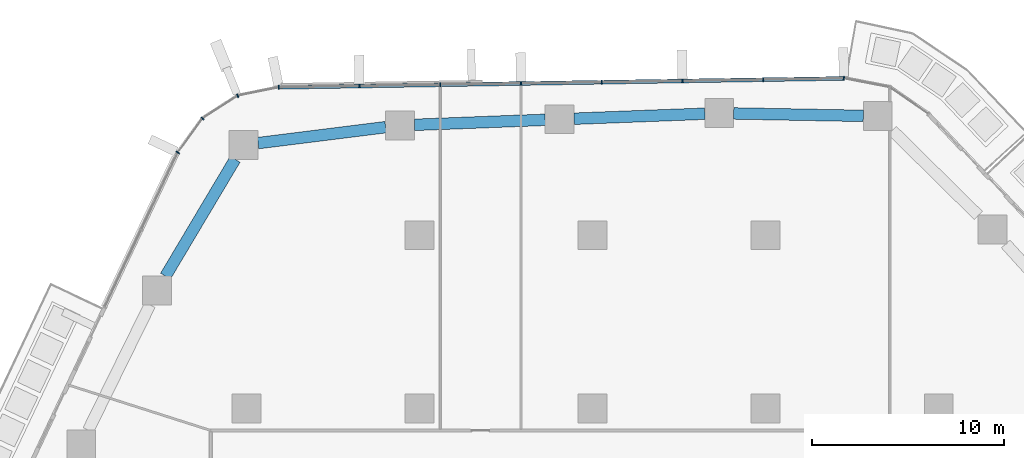
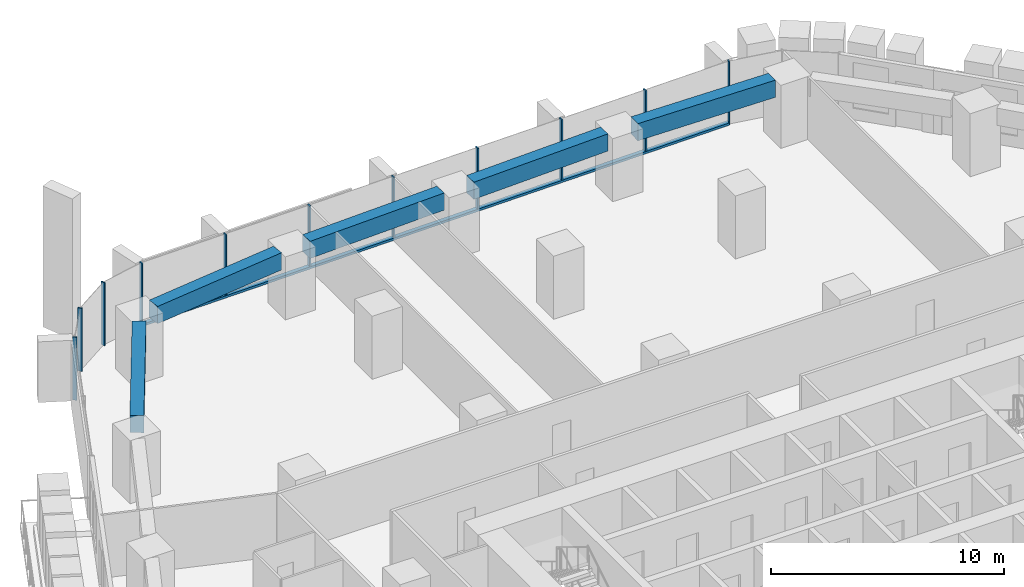
# One storey, part 9 of 25: 12 members, 5 beams, 3 elements without a shape of their own.
"""IFC4 building model written with IfcOpenShell, lengths in metres."""

from ifc_helpers import new_model, si_unit, direction, frame, origin, origin_2d, place, context, subcontext, project, spatial, rectangle, extrude, material, layer, layer_set, material_profile, profile_set, type_object, element, aggregate, save


model = new_model("IFC4")

# Units and contexts
model_context = context("Model", 3, precision=1e-05, world=origin(), true_north=direction((0.0, 1.0)))
body_context = subcontext(model_context, "Body", "Model", "MODEL_VIEW")
ifc_project = project(units=[si_unit("LENGTHUNIT", "METRE"), si_unit("AREAUNIT", "SQUARE_METRE"), si_unit("VOLUMEUNIT", "CUBIC_METRE"), si_unit("PLANEANGLEUNIT", "RADIAN"), si_unit("MASSUNIT", "GRAM", prefix="KILO")], contexts=[model_context])

# Site, building, storey
site_placement = place(None, origin())
site = spatial("IfcSite", under=ifc_project, at=site_placement, CompositionType="ELEMENT")
building_placement = place(site_placement, origin())
building = spatial("IfcBuilding", under=site, at=building_placement, Name="Dongbaek Canopy Tower", CompositionType="ELEMENT")
storey_placement = place(building_placement, frame((0.0, 0.0, 77.300048828125)))
storey = spatial("IfcBuildingStorey", under=building, at=storey_placement, Name="L15", CompositionType="ELEMENT", Elevation=77.300048828125)

# Curtain wall, member
ifc_material_1 = material(Name="Aluminium 6063-T6 pale anodised", Category="aluminium")
ifc_layer = layer(ifc_material_1, 0.199951171875)
ifc_layer_set = layer_set([ifc_layer], Name="CW-1 unitised tower curtain wall")
curtain_wall_type = type_object("IfcCurtainWallType", Name="CW-1 unitised tower curtain wall", PredefinedType="NOTDEFINED", material=ifc_layer_set)
curtain_wall_1_placement = place(storey_placement, origin())
curtain_wall_1 = element("IfcCurtainWall", 1, at=curtain_wall_1_placement, inside=storey, type_object=curtain_wall_type, Name="CW-1 curtain wall K1.1", PredefinedType="NOTDEFINED")
ifc_material_2 = material(Name="Aluminium 6063-T6 pale anodised", Category="aluminium")
ifc_material_profile_1 = material_profile(ifc_material_2, rectangle(XDim=0.199951171875, YDim=0.06005859375, at=origin_2d()), Name="CW-1 mullion 60 x 200")
ifc_profile_set_1 = profile_set([ifc_material_profile_1], Name="Aluminium 6063-T6 pale anodised")
member_type_1 = type_object("IfcMemberType", Name="CW-1 mullion 60 x 200", PredefinedType="MULLION", material=ifc_profile_set_1)
member_1_placement = place(storey_placement, frame((13.067138671875, 35.157470703125, 0.0), z_axis=(0.0, 0.0, 1.0), x_axis=(0.190359076609, 0.981714531803, 0.0)))
member_1 = element("IfcMember", 2, at=member_1_placement, type_object=member_type_1, Name="CW-1 mullion K1.1.3", PredefinedType="MULLION", context=body_context, shape_type="SweptSolid", body=[
    extrude(rectangle(XDim=0.199951171875, YDim=0.06005859375, at=origin_2d()), origin(), (0.0, 0.0, 1.0), 3.300048828125),
])
aggregate(curtain_wall_1, [member_1])

# Curtain wall, members
curtain_wall_2_placement = place(storey_placement, origin())
curtain_wall_2 = element("IfcCurtainWall", 3, at=curtain_wall_2_placement, inside=storey, type_object=curtain_wall_type, Name="CW-1 curtain wall F1.1", PredefinedType="NOTDEFINED")
member_2_placement = place(storey_placement, frame((8.878173828125, 35.091552734375, 0.119873046875), z_axis=(0.0, 0.0, 1.0), x_axis=(-0.015774398409, 0.999875576437, 0.0)))
member_2 = element("IfcMember", 4, at=member_2_placement, type_object=member_type_1, Name="CW-1 mullion F1.1.2", PredefinedType="MULLION", context=body_context, shape_type="SweptSolid", body=[
    extrude(rectangle(XDim=0.199951171875, YDim=0.06005859375, at=origin_2d()), origin(), (0.0, 0.0, 1.0), 3.18017578125),
])
member_3_placement = place(storey_placement, frame((4.6787109375, 35.025146484375, 0.119873046875), z_axis=(0.0, 0.0, 1.0), x_axis=(-0.015774398409, 0.999875576437, 0.0)))
member_3 = element("IfcMember", 5, at=member_3_placement, type_object=member_type_1, Name="CW-1 mullion F1.1.3", PredefinedType="MULLION", context=body_context, shape_type="SweptSolid", body=[
    extrude(rectangle(XDim=0.199951171875, YDim=0.06005859375, at=origin_2d()), origin(), (0.0, 0.0, 1.0), 3.18017578125),
])
member_4_placement = place(storey_placement, frame((0.4794921875, 34.958984375, 0.119873046875), z_axis=(0.0, 0.0, 1.0), x_axis=(-0.015774398409, 0.999875576437, 0.0)))
member_4 = element("IfcMember", 6, at=member_4_placement, type_object=member_type_1, Name="CW-1 mullion F1.1.4", PredefinedType="MULLION", context=body_context, shape_type="SweptSolid", body=[
    extrude(rectangle(XDim=0.199951171875, YDim=0.06005859375, at=origin_2d()), origin(), (0.0, 0.0, 1.0), 3.18017578125),
])
member_5_placement = place(storey_placement, frame((-3.719970703125, 34.892822265625, 0.119873046875), z_axis=(0.0, 0.0, 1.0), x_axis=(-0.015774398409, 0.999875576437, 0.0)))
member_5 = element("IfcMember", 7, at=member_5_placement, type_object=member_type_1, Name="CW-1 mullion F1.1.5", PredefinedType="MULLION", context=body_context, shape_type="SweptSolid", body=[
    extrude(rectangle(XDim=0.199951171875, YDim=0.06005859375, at=origin_2d()), origin(), (0.0, 0.0, 1.0), 3.18017578125),
])
member_6_placement = place(storey_placement, frame((-7.919189453125, 34.826416015625, 0.119873046875), z_axis=(0.0, 0.0, 1.0), x_axis=(-0.015774398409, 0.999875576437, 0.0)))
member_6 = element("IfcMember", 8, at=member_6_placement, type_object=member_type_1, Name="CW-1 mullion F1.1.6", PredefinedType="MULLION", context=body_context, shape_type="SweptSolid", body=[
    extrude(rectangle(XDim=0.199951171875, YDim=0.06005859375, at=origin_2d()), origin(), (0.0, 0.0, 1.0), 3.18017578125),
])
member_7_placement = place(storey_placement, frame((-12.11865234375, 34.76025390625, 0.119873046875), z_axis=(0.0, 0.0, 1.0), x_axis=(-0.015774398409, 0.999875576437, 0.0)))
member_7 = element("IfcMember", 9, at=member_7_placement, type_object=member_type_1, Name="CW-1 mullion F1.1.7", PredefinedType="MULLION", context=body_context, shape_type="SweptSolid", body=[
    extrude(rectangle(XDim=0.199951171875, YDim=0.06005859375, at=origin_2d()), origin(), (0.0, 0.0, 1.0), 3.18017578125),
])
member_8_placement = place(storey_placement, frame((-16.30859375, 34.694091796875, 0.119873046875), z_axis=(0.0, 0.0, 1.0), x_axis=(-0.015774398409, 0.999875576437, 0.0)))
member_8 = element("IfcMember", 10, at=member_8_placement, type_object=member_type_1, Name="CW-1 mullion F1.1.8", PredefinedType="MULLION", context=body_context, shape_type="SweptSolid", body=[
    extrude(rectangle(XDim=0.199951171875, YDim=0.06005859375, at=origin_2d()), origin(), (0.0, 0.0, 1.0), 3.18017578125),
])

curtain_wall_3_placement = place(storey_placement, origin())
curtain_wall_3 = element("IfcCurtainWall", 11, at=curtain_wall_3_placement, inside=storey, type_object=curtain_wall_type, Name="CW-1 curtain wall K2.1", PredefinedType="NOTDEFINED")
member_9_placement = place(storey_placement, frame((-18.450927734375, 34.2568359375, 0.0), z_axis=(0.0, 0.0, 1.0), x_axis=(-0.377411903427, 0.926045493025, 0.0)))
member_9 = element("IfcMember", 12, at=member_9_placement, type_object=member_type_1, Name="CW-1 mullion K2.1.2", PredefinedType="MULLION", context=body_context, shape_type="SweptSolid", body=[
    extrude(rectangle(XDim=0.199951171875, YDim=0.06005859375, at=origin_2d()), origin(), (0.0, 0.0, 1.0), 3.300048828125),
])
member_10_placement = place(storey_placement, frame((-20.28076171875, 33.0771484375, 0.0), z_axis=(0.0, 0.0, 1.0), x_axis=(-0.687633616308, 0.726057855631, 0.0)))
member_10 = element("IfcMember", 13, at=member_10_placement, type_object=member_type_1, Name="CW-1 mullion K2.1.3", PredefinedType="MULLION", context=body_context, shape_type="SweptSolid", body=[
    extrude(rectangle(XDim=0.199951171875, YDim=0.06005859375, at=origin_2d()), origin(), (0.0, 0.0, 1.0), 3.300048828125),
])
member_11_placement = place(storey_placement, frame((-21.5634765625, 31.306640625, 0.0), z_axis=(0.0, 0.0, 1.0), x_axis=(-0.809815290558, 0.586684919849, 0.0)))
member_11 = element("IfcMember", 14, at=member_11_placement, type_object=member_type_1, Name="CW-1 mullion K2.1.4", PredefinedType="MULLION", context=body_context, shape_type="SweptSolid", body=[
    extrude(rectangle(XDim=0.199951171875, YDim=0.06005859375, at=origin_2d()), origin(), (0.0, 0.0, 1.0), 3.300048828125),
])
aggregate(curtain_wall_3, [member_9, member_10, member_11])

# Member
ifc_material_3 = material(Name="Aluminium 6063-T6 pale anodised", Category="aluminium")
ifc_material_profile_2 = material_profile(ifc_material_3, rectangle(XDim=0.199951171875, YDim=0.1201171875, at=origin_2d()), Name="CW-1 transom 120 x 200")
ifc_profile_set_2 = profile_set([ifc_material_profile_2], Name="Aluminium 6063-T6 pale anodised")
member_type_2 = type_object("IfcMemberType", Name="CW-1 transom 120 x 200", PredefinedType="USERDEFINED", material=ifc_profile_set_2)
member_12_placement = place(storey_placement, frame((13.067138671875, 35.157470703125, 0.06005859375), z_axis=(-0.999875610398, -0.01577224561, 0.0), x_axis=(0.01577224561, -0.999875610398, 0.0)))
member_12 = element("IfcMember", 15, at=member_12_placement, type_object=member_type_2, Name="CW-1 transom F1.1.1", ObjectType="TRANSOM", PredefinedType="USERDEFINED", context=body_context, shape_type="SweptSolid", body=[
    extrude(rectangle(XDim=0.199951171875, YDim=0.1201171875, at=origin_2d()), origin(), (0.0, 0.0, 1.0), 29.37939453125),
])

aggregate(curtain_wall_2, [member_2, member_3, member_4, member_5, member_6, member_7, member_8, member_12])

# Beams
ifc_material_4 = material(Name="Concrete C80", Category="concrete")
ifc_material_profile_3 = material_profile(ifc_material_4, rectangle(XDim=0.60009765625, YDim=0.89990234375, at=origin_2d()), Name="RC EDGE BEAM 600x900 C80")
ifc_profile_set_3 = profile_set([ifc_material_profile_3], Name="Concrete C80")
beam_type = type_object("IfcBeamType", Name="RC EDGE BEAM 600x900 C80", PredefinedType="BEAM", material=ifc_profile_set_3)
beam_1_placement = place(storey_placement, frame((-22.201416015625, 24.875, 2.849853515625), z_axis=(0.511536684445, 0.859261438951, 0.0), x_axis=(-0.859261438951, 0.511536684445, 0.0)))
element("IfcBeam", 16, at=beam_1_placement, inside=storey, type_object=beam_type, Name="EDGEBEAM:L15:12", PredefinedType="BEAM", context=body_context, shape_type="SweptSolid", body=[
    extrude(rectangle(XDim=0.60009765625, YDim=0.89990234375, at=origin_2d()), origin(), (0.0, 0.0, 1.0), 7.06884765625),
])
beam_2_placement = place(storey_placement, frame((-17.388916015625, 31.79248046875, 2.849853515625), z_axis=(0.992300337098, 0.123854919137, 0.0), x_axis=(-0.123854919137, 0.992300337098, 0.0)))
element("IfcBeam", 17, at=beam_2_placement, inside=storey, type_object=beam_type, Name="EDGEBEAM:L15:13", PredefinedType="BEAM", context=body_context, shape_type="SweptSolid", body=[
    extrude(rectangle(XDim=0.60009765625, YDim=0.89990234375, at=origin_2d()), origin(), (0.0, 0.0, 1.0), 6.684326171875),
])
beam_3_placement = place(storey_placement, frame((-9.256103515625, 32.74267578125, 2.849853515625), z_axis=(0.999265250645, 0.038326999019, 0.0), x_axis=(-0.038326999019, 0.999265250645, 0.0)))
element("IfcBeam", 18, at=beam_3_placement, inside=storey, type_object=beam_type, Name="EDGEBEAM:L15:14", PredefinedType="BEAM", context=body_context, shape_type="SweptSolid", body=[
    extrude(rectangle(XDim=0.60009765625, YDim=0.89990234375, at=origin_2d()), origin(), (0.0, 0.0, 1.0), 6.802978515625),
])
beam_4_placement = place(storey_placement, frame((-0.9580078125, 33.060791015625, 2.849853515625), z_axis=(0.99927189778, 0.038153300073, 0.0), x_axis=(-0.038153300073, 0.99927189778, 0.0)))
element("IfcBeam", 19, at=beam_4_placement, inside=storey, type_object=beam_type, Name="EDGEBEAM:L15:15", PredefinedType="BEAM", context=body_context, shape_type="SweptSolid", body=[
    extrude(rectangle(XDim=0.60009765625, YDim=0.89990234375, at=origin_2d()), origin(), (0.0, 0.0, 1.0), 6.802001953125),
])
beam_5_placement = place(storey_placement, frame((7.339111328125, 33.3349609375, 2.849853515625), z_axis=(0.999822704828, -0.018829734762, 0.0), x_axis=(0.018829734762, 0.999822704828, 0.0)))
element("IfcBeam", 20, at=beam_5_placement, inside=storey, type_object=beam_type, Name="EDGEBEAM:L15:16", PredefinedType="BEAM", context=body_context, shape_type="SweptSolid", body=[
    extrude(rectangle(XDim=0.60009765625, YDim=0.89990234375, at=origin_2d()), origin(), (0.0, 0.0, 1.0), 6.7421875),
])

save(model, "model.ifc")
